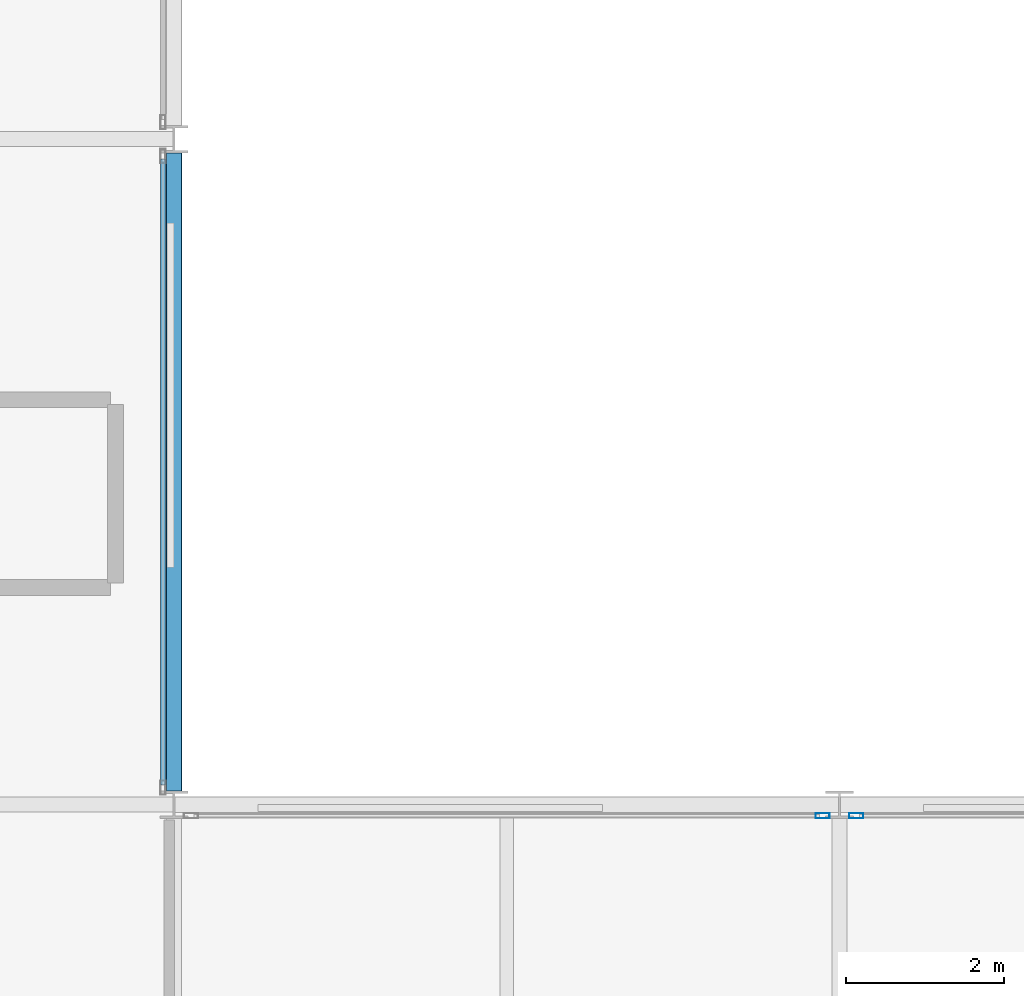
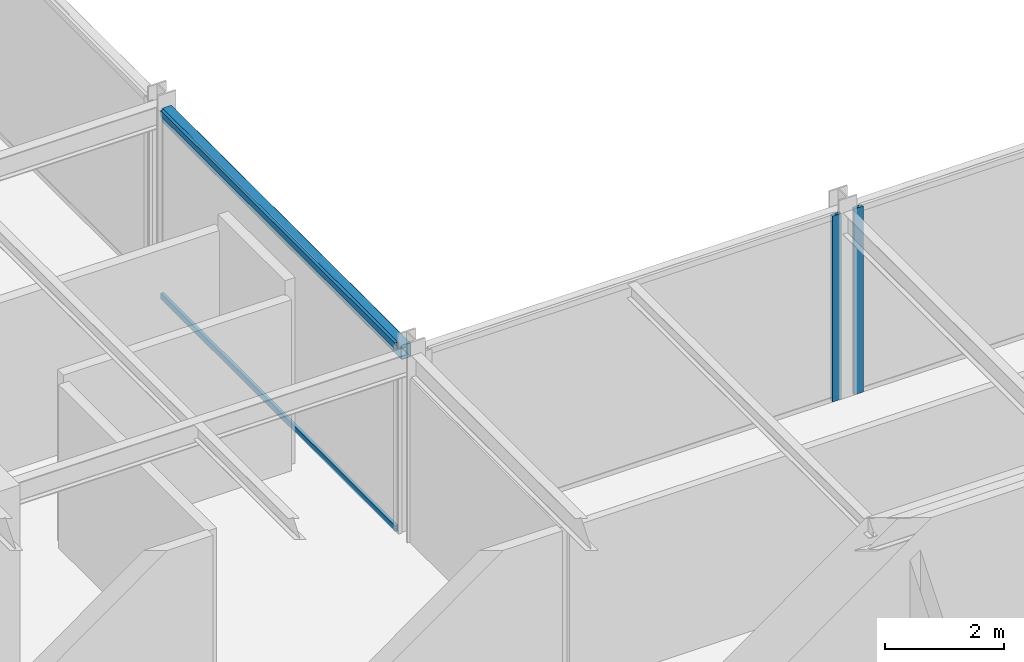
# One storey, part 15 of 29: 4 members, 1 beam, 3 elements without a shape of their own.
"""IFC4 building model written with IfcOpenShell, lengths in metres."""

from ifc_helpers import new_model, si_unit, direction, frame, origin, origin_2d, place, context, subcontext, project, spatial, hollow_rectangle, extrude, material, layer, layer_set, material_profile, profile_set, type_object, element, aggregate, save


model = new_model("IFC4")

# Units and contexts
model_context = context("Model", 3, precision=1e-05, world=origin(), true_north=direction((0.0, 1.0)))
body_context = subcontext(model_context, "Body", "Model", "MODEL_VIEW")
ifc_project = project(units=[si_unit("LENGTHUNIT", "METRE"), si_unit("AREAUNIT", "SQUARE_METRE"), si_unit("VOLUMEUNIT", "CUBIC_METRE"), si_unit("PLANEANGLEUNIT", "RADIAN"), si_unit("MASSUNIT", "GRAM", prefix="KILO")], contexts=[model_context])

# Site, building, storey
site_placement = place(None, origin())
site = spatial("IfcSite", under=ifc_project, at=site_placement, CompositionType="ELEMENT")
building_placement = place(site_placement, origin())
building = spatial("IfcBuilding", under=site, at=building_placement, Name="Nerrivon Quay Data Exchange", CompositionType="ELEMENT")
storey_placement = place(building_placement, frame((0.0, 0.0, 187.800048828125)))
storey = spatial("IfcBuildingStorey", under=building, at=storey_placement, Name="L44", CompositionType="ELEMENT", Elevation=187.800048828125)

# Beam
ifc_material_1 = material(Name="Steel Grade C350L0 (350 MPa)", Category="steel")
ifc_material_profile_1 = material_profile(ifc_material_1, hollow_rectangle(XDim=0.199951171875, YDim=0.300048828125, WallThickness=0.012451171875, InnerFilletRadius=0.018798828125, OuterFilletRadius=0.03125, at=origin_2d()), Name="300x200x12.5RHS")
ifc_profile_set_1 = profile_set([ifc_material_profile_1], Name="Steel Grade C350L0 (350 MPa)")
beam_type = type_object("IfcBeamType", Name="BM-SP3-300x200RHS", PredefinedType="SPANDREL", material=ifc_profile_set_1)
beam_placement = place(storey_placement, frame((25.199951171875, 25.375, 3.675048828125), z_axis=(0.0, 1.0, 0.0), x_axis=(-1.0, 0.0, 0.0)))
element("IfcBeam", 1, at=beam_placement, inside=storey, type_object=beam_type, Name="L44 NS Girder X=25.2 (25.2..33.6)", PredefinedType="SPANDREL", context=body_context, shape_type="SweptSolid", body=[
    extrude(hollow_rectangle(XDim=0.199951171875, YDim=0.300048828125, WallThickness=0.012451171875, InnerFilletRadius=0.018798828125, OuterFilletRadius=0.03125, at=origin_2d()), origin(), (0.0, 0.0, 1.0), 8.050048828125),
])

# Curtain wall, member
ifc_material_2 = material(Name="Anodised aluminium 6063-T6", Category="aluminium")
ifc_layer = layer(ifc_material_2, 0.195068359375)
ifc_layer_set = layer_set([ifc_layer], Name="Anodised aluminium 6063-T6")
curtain_wall_type = type_object("IfcCurtainWallType", Name="CW-SYS-06", PredefinedType="NOTDEFINED", material=ifc_layer_set)
curtain_wall_1_placement = place(storey_placement, origin())
curtain_wall_1 = element("IfcCurtainWall", 2, at=curtain_wall_1_placement, inside=storey, type_object=curtain_wall_type, Name="L44 Unitised Curtain Wall 16", PredefinedType="NOTDEFINED")
ifc_material_profile_2 = material_profile(ifc_material_2, hollow_rectangle(XDim=0.06494140625, YDim=0.179931640625, WallThickness=0.00341796875, at=origin_2d()), Name="ALU-MULL-180x65")
ifc_profile_set_2 = profile_set([ifc_material_profile_2], Name="Anodised aluminium 6063-T6")
member_type_1 = type_object("IfcMemberType", Name="CWM-180x65", PredefinedType="MULLION", material=ifc_profile_set_2)
member_1_placement = place(storey_placement, frame((33.387451171875, 25.06005859375, 0.0), z_axis=(0.0, 0.0, 1.0), x_axis=(0.0, 1.0, 0.0)))
member_1 = element("IfcMember", 3, at=member_1_placement, type_object=member_type_1, Name="CW06 mullion 2", PredefinedType="MULLION", context=body_context, shape_type="SweptSolid", body=[
    extrude(hollow_rectangle(XDim=0.06494140625, YDim=0.179931640625, WallThickness=0.00341796875, at=origin_2d()), origin(), (0.0, 0.0, 1.0), 3.824951171875),
])
aggregate(curtain_wall_1, [member_1])

curtain_wall_2_placement = place(storey_placement, origin())
curtain_wall_2 = element("IfcCurtainWall", 4, at=curtain_wall_2_placement, inside=storey, type_object=curtain_wall_type, Name="L44 Unitised Curtain Wall 17", PredefinedType="NOTDEFINED")
member_2_placement = place(storey_placement, frame((33.8125, 25.06005859375, 0.0), z_axis=(0.0, 0.0, 1.0), x_axis=(0.0, 1.0, 0.0)))
member_2 = element("IfcMember", 5, at=member_2_placement, type_object=member_type_1, Name="CW06 mullion 1", PredefinedType="MULLION", context=body_context, shape_type="SweptSolid", body=[
    extrude(hollow_rectangle(XDim=0.06494140625, YDim=0.179931640625, WallThickness=0.00341796875, at=origin_2d()), origin(), (0.0, 0.0, 1.0), 3.824951171875),
])
aggregate(curtain_wall_2, [member_2])

# Curtain wall, members
curtain_wall_3_placement = place(storey_placement, origin())
curtain_wall_3 = element("IfcCurtainWall", 6, at=curtain_wall_3_placement, inside=storey, type_object=curtain_wall_type, Name="L44 Unitised Curtain Wall 15", PredefinedType="NOTDEFINED")
ifc_material_profile_3 = material_profile(ifc_material_2, hollow_rectangle(XDim=0.06005859375, YDim=0.1201171875, WallThickness=0.003173828125, at=origin_2d()), Name="ALU-TRAN-120x60")
ifc_profile_set_3 = profile_set([ifc_material_profile_3], Name="Anodised aluminium 6063-T6")
member_type_2 = type_object("IfcMemberType", Name="CWT-120x60", PredefinedType="USERDEFINED", material=ifc_profile_set_3)
member_3_placement = place(storey_placement, frame((25.06005859375, 33.35009765625, 0.032470703125), z_axis=(0.0, -1.0, 0.0), x_axis=(1.0, 0.0, 0.0)))
member_3 = element("IfcMember", 7, at=member_3_placement, type_object=member_type_2, Name="CW06 transom 1.1", ObjectType="TRANSOM", PredefinedType="USERDEFINED", context=body_context, shape_type="SweptSolid", body=[
    extrude(hollow_rectangle(XDim=0.06005859375, YDim=0.1201171875, WallThickness=0.003173828125, at=origin_2d()), origin(), (0.0, 0.0, 1.0), 7.900146484375),
])
member_4_placement = place(storey_placement, frame((25.06005859375, 33.35009765625, 3.79248046875), z_axis=(0.0, -1.0, 0.0), x_axis=(1.0, 0.0, 0.0)))
member_4 = element("IfcMember", 8, at=member_4_placement, type_object=member_type_2, Name="CW06 transom 1.2", ObjectType="TRANSOM", PredefinedType="USERDEFINED", context=body_context, shape_type="SweptSolid", body=[
    extrude(hollow_rectangle(XDim=0.06005859375, YDim=0.1201171875, WallThickness=0.003173828125, at=origin_2d()), origin(), (0.0, 0.0, 1.0), 7.900146484375),
])
aggregate(curtain_wall_3, [member_3, member_4])

save(model, "model.ifc")
